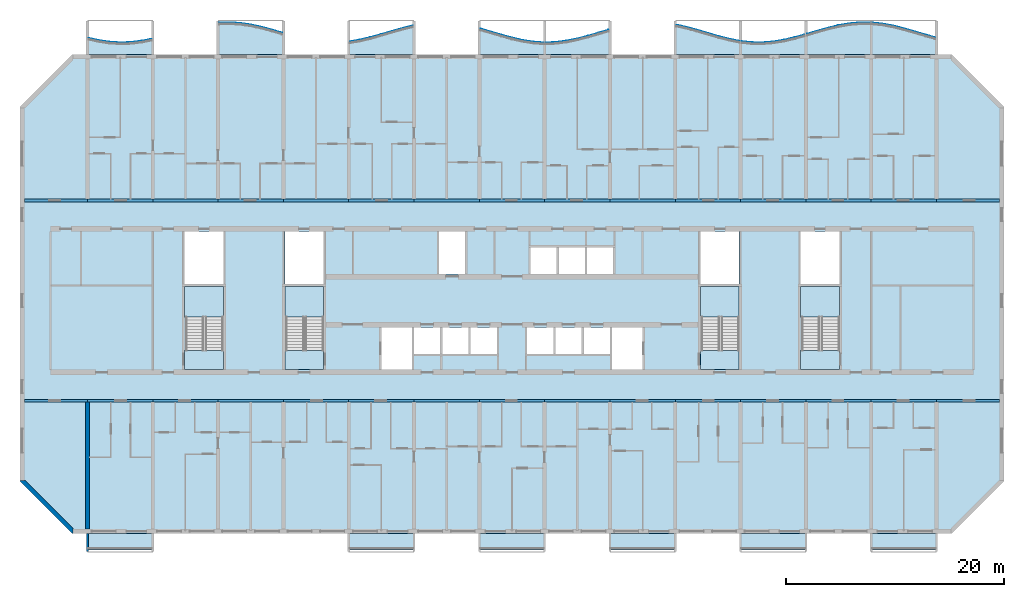
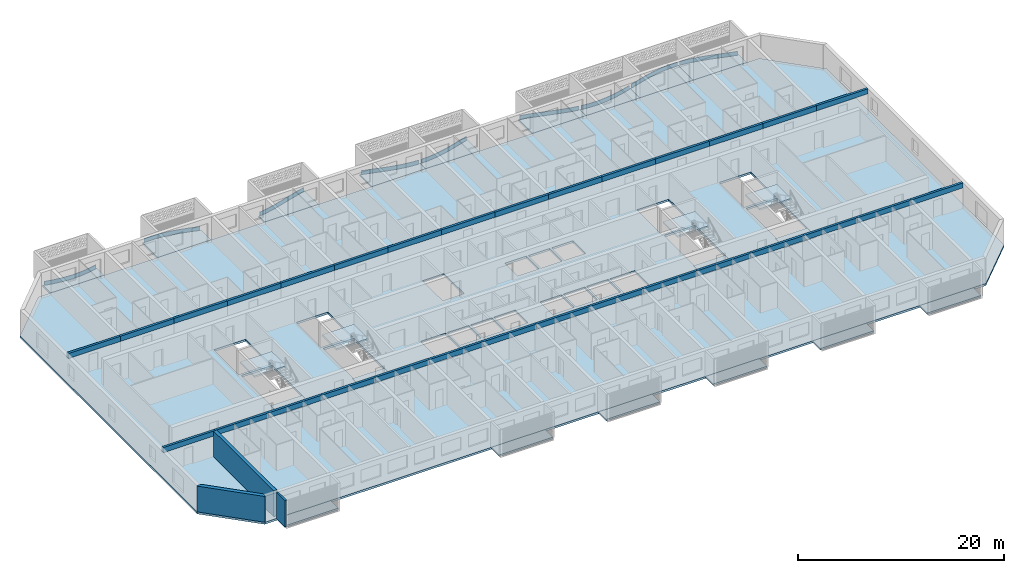
# One storey, part 1 of 26: 30 beams, 24 slabs, 9 plates, 3 walls, 4 elements without a shape of their own.
"""IFC4 building model written with IfcOpenShell, lengths in metres."""

from ifc_helpers import new_model, si_unit, direction, frame, frame_2d, origin, origin_2d, place, context, subcontext, project, spatial, polyline, rectangle, outline, extrude, source, transform, mapped, material, layer, layer_set, material_profile, profile_set, type_object, element, aggregate, save


model = new_model("IFC4")

# Units and contexts
model_context = context("Model", 3, precision=1e-05, world=origin(), true_north=direction((0.0, 1.0)))
body_context = subcontext(model_context, "Body", "Model", "MODEL_VIEW")
ifc_project = project(units=[si_unit("LENGTHUNIT", "METRE"), si_unit("AREAUNIT", "SQUARE_METRE"), si_unit("VOLUMEUNIT", "CUBIC_METRE"), si_unit("PLANEANGLEUNIT", "RADIAN"), si_unit("MASSUNIT", "GRAM", prefix="KILO")], contexts=[model_context])

# Site, building, storey
site_placement = place(None, origin())
site = spatial("IfcSite", under=ifc_project, at=site_placement, CompositionType="ELEMENT")
building_placement = place(site_placement, origin())
building = spatial("IfcBuilding", under=site, at=building_placement, Name="Poui Terraces", CompositionType="ELEMENT")
storey_placement = place(building_placement, frame((0.0, 0.0, 96.0)))
storey = spatial("IfcBuildingStorey", under=building, at=storey_placement, Name="L26", CompositionType="ELEMENT", Elevation=96.0)

# Beams
ifc_material_1 = material(Name="Concrete 65 MPa", Category="concrete")
ifc_material_profile = material_profile(ifc_material_1, rectangle(XDim=0.25, YDim=0.60009765625, at=origin_2d()), Name="RC 250x600")
ifc_profile_set = profile_set([ifc_material_profile], Name="Concrete 65 MPa")
beam_type = type_object("IfcBeamType", Name="COUPLING BEAM 250x600 65MPa", PredefinedType="BEAM", material=ifc_profile_set)
shared_shape_1 = source(origin(), body_context, "Body", "SweptSolid", [
    extrude(rectangle(XDim=0.25, YDim=0.60009765625, at=origin_2d()), origin(), (0.0, 0.0, 1.0), 5.800048828125),
])
for number, where, z_axis, x_axis, name in (
    (1, (6.199951171875, 12.0, 2.760009765625), (1.0, 0.0, 0.0), (0.0, 1.0, 0.0), "COUPLING BEAM LINE B BAY 1"),
    (2, (90.0, 12.0, 2.760009765625), (1.0, 0.0, 0.0), (0.0, 1.0, 0.0), "COUPLING BEAM LINE B BAY 15"),
    (3, (6.199951171875, 30.39990234375, 2.760009765625), (1.0, 0.0, 0.0), (0.0, 1.0, 0.0), "COUPLING BEAM LINE E BAY 1"),
    (4, (90.0, 30.39990234375, 2.760009765625), (1.0, 0.0, 0.0), (0.0, 1.0, 0.0), "COUPLING BEAM LINE E BAY 15"),
):
    element("IfcBeam", number, at=place(storey_placement, frame(where, z_axis=z_axis, x_axis=x_axis)), inside=storey, type_object=beam_type, Name=name, PredefinedType="BEAM", context=body_context, shape_type="MappedRepresentation", body=[
        mapped(shared_shape_1, transform((0.0, 0.0, 0.0))),
    ])
shared_shape_2 = source(origin(), body_context, "Body", "SweptSolid", [
    extrude(rectangle(XDim=0.25, YDim=0.60009765625, at=origin_2d()), origin(), (0.0, 0.0, 1.0), 6.0),
])
for number, where, z_axis, x_axis, name in (
    (5, (12.0, 12.0, 2.760009765625), (1.0, 0.0, 0.0), (0.0, 1.0, 0.0), "COUPLING BEAM LINE B BAY 2"),
    (6, (18.0, 12.0, 2.760009765625), (1.0, 0.0, 0.0), (0.0, 1.0, 0.0), "COUPLING BEAM LINE B BAY 3"),
    (7, (24.0, 12.0, 2.760009765625), (1.0, 0.0, 0.0), (0.0, 1.0, 0.0), "COUPLING BEAM LINE B BAY 4"),
    (8, (30.0, 12.0, 2.760009765625), (1.0, 0.0, 0.0), (0.0, 1.0, 0.0), "COUPLING BEAM LINE B BAY 5"),
    (9, (36.0, 12.0, 2.760009765625), (1.0, 0.0, 0.0), (0.0, 1.0, 0.0), "COUPLING BEAM LINE B BAY 6"),
    (10, (42.0, 12.0, 2.760009765625), (1.0, 0.0, 0.0), (0.0, 1.0, 0.0), "COUPLING BEAM LINE B BAY 7"),
    (11, (48.0, 12.0, 2.760009765625), (1.0, 0.0, 0.0), (0.0, 1.0, 0.0), "COUPLING BEAM LINE B BAY 8"),
    (12, (54.0, 12.0, 2.760009765625), (1.0, 0.0, 0.0), (0.0, 1.0, 0.0), "COUPLING BEAM LINE B BAY 9"),
    (13, (60.0, 12.0, 2.760009765625), (1.0, 0.0, 0.0), (0.0, 1.0, 0.0), "COUPLING BEAM LINE B BAY 10"),
    (14, (66.0, 12.0, 2.760009765625), (1.0, 0.0, 0.0), (0.0, 1.0, 0.0), "COUPLING BEAM LINE B BAY 11"),
    (15, (72.0, 12.0, 2.760009765625), (1.0, 0.0, 0.0), (0.0, 1.0, 0.0), "COUPLING BEAM LINE B BAY 12"),
    (16, (78.0, 12.0, 2.760009765625), (1.0, 0.0, 0.0), (0.0, 1.0, 0.0), "COUPLING BEAM LINE B BAY 13"),
    (17, (84.0, 12.0, 2.760009765625), (1.0, 0.0, 0.0), (0.0, 1.0, 0.0), "COUPLING BEAM LINE B BAY 14"),
    (18, (12.0, 30.39990234375, 2.760009765625), (1.0, 0.0, 0.0), (0.0, 1.0, 0.0), "COUPLING BEAM LINE E BAY 2"),
    (19, (18.0, 30.39990234375, 2.760009765625), (1.0, 0.0, 0.0), (0.0, 1.0, 0.0), "COUPLING BEAM LINE E BAY 3"),
    (20, (24.0, 30.39990234375, 2.760009765625), (1.0, 0.0, 0.0), (0.0, 1.0, 0.0), "COUPLING BEAM LINE E BAY 4"),
    (21, (30.0, 30.39990234375, 2.760009765625), (1.0, 0.0, 0.0), (0.0, 1.0, 0.0), "COUPLING BEAM LINE E BAY 5"),
    (22, (36.0, 30.39990234375, 2.760009765625), (1.0, 0.0, 0.0), (0.0, 1.0, 0.0), "COUPLING BEAM LINE E BAY 6"),
    (23, (42.0, 30.39990234375, 2.760009765625), (1.0, 0.0, 0.0), (0.0, 1.0, 0.0), "COUPLING BEAM LINE E BAY 7"),
    (24, (48.0, 30.39990234375, 2.760009765625), (1.0, 0.0, 0.0), (0.0, 1.0, 0.0), "COUPLING BEAM LINE E BAY 8"),
    (25, (54.0, 30.39990234375, 2.760009765625), (1.0, 0.0, 0.0), (0.0, 1.0, 0.0), "COUPLING BEAM LINE E BAY 9"),
    (26, (60.0, 30.39990234375, 2.760009765625), (1.0, 0.0, 0.0), (0.0, 1.0, 0.0), "COUPLING BEAM LINE E BAY 10"),
    (27, (66.0, 30.39990234375, 2.760009765625), (1.0, 0.0, 0.0), (0.0, 1.0, 0.0), "COUPLING BEAM LINE E BAY 11"),
    (28, (72.0, 30.39990234375, 2.760009765625), (1.0, 0.0, 0.0), (0.0, 1.0, 0.0), "COUPLING BEAM LINE E BAY 12"),
    (29, (78.0, 30.39990234375, 2.760009765625), (1.0, 0.0, 0.0), (0.0, 1.0, 0.0), "COUPLING BEAM LINE E BAY 13"),
    (30, (84.0, 30.39990234375, 2.760009765625), (1.0, 0.0, 0.0), (0.0, 1.0, 0.0), "COUPLING BEAM LINE E BAY 14"),
):
    element("IfcBeam", number, at=place(storey_placement, frame(where, z_axis=z_axis, x_axis=x_axis)), inside=storey, type_object=beam_type, Name=name, PredefinedType="BEAM", context=body_context, shape_type="MappedRepresentation", body=[
        mapped(shared_shape_2, transform((0.0, 0.0, 0.0))),
    ])

# Slabs
ifc_material_2 = material(Name="Precast concrete 40 MPa", Category="concrete")
ifc_layer_1 = layer(ifc_material_2, 0.199951171875)
ifc_layer_set_1 = layer_set([ifc_layer_1], Name="Precast concrete 40 MPa")
slab_type_1 = type_object("IfcSlabType", Name="BALCONY SLAB 200", PredefinedType="FLOOR", material=ifc_layer_set_1)
slab_1_placement = place(storey_placement, frame((0.0, 0.0, -0.2001953125)))
element("IfcSlab", 31, at=slab_1_placement, inside=storey, type_object=slab_type_1, Name="BALCONY SLAB", PredefinedType="FLOOR", context=body_context, shape_type="SweptSolid", body=[
    extrude(outline(polyline([(12.0, 43.800048828125), (18.0, 43.800048828125), (18.0, 45.259521484375), (17.0, 45.056884765625), (16.0, 44.93310546875), (15.0, 44.9013671875), (14.0, 44.964599609375), (13.0, 45.116455078125), (12.0, 45.34130859375), (12.0, 43.800048828125)])), origin(), (0.0, 0.0, 1.0), 0.2001953125),
])
slab_2_placement = place(storey_placement, frame((0.0, 0.0, -0.2001953125)))
element("IfcSlab", 32, at=slab_2_placement, inside=storey, type_object=slab_type_1, Name="BALCONY SLAB", PredefinedType="FLOOR", context=body_context, shape_type="SweptSolid", body=[
    extrude(outline(polyline([(24.0, 43.800048828125), (30.0, 43.800048828125), (30.0, 45.762939453125), (29.0, 46.058349609375), (28.0, 46.329833984375), (27.0, 46.54931640625), (26.0, 46.694091796875), (25.0, 46.749755859375), (24.0, 46.7099609375), (24.0, 43.800048828125)])), origin(), (0.0, 0.0, 1.0), 0.2001953125),
])
slab_3_placement = place(storey_placement, frame((0.0, 0.0, -0.2001953125)))
element("IfcSlab", 33, at=slab_3_placement, inside=storey, type_object=slab_type_1, Name="BALCONY SLAB", PredefinedType="FLOOR", context=body_context, shape_type="SweptSolid", body=[
    extrude(outline(polyline([(36.0, 43.800048828125), (42.0, 43.800048828125), (42.0, 46.4833984375), (41.0, 46.243896484375), (40.0, 45.961181640625), (39.0, 45.664306640625), (38.0, 45.38427734375), (37.0, 45.1494140625), (36.0, 44.984130859375), (36.0, 43.800048828125)])), origin(), (0.0, 0.0, 1.0), 0.2001953125),
])
slab_4_placement = place(storey_placement, frame((0.0, 0.0, -0.2001953125)))
element("IfcSlab", 34, at=slab_4_placement, inside=storey, type_object=slab_type_1, Name="BALCONY SLAB", PredefinedType="FLOOR", context=body_context, shape_type="SweptSolid", body=[
    extrude(outline(polyline([(48.0, 43.800048828125), (54.0, 43.800048828125), (54.0, 44.9013671875), (53.0, 44.964599609375), (52.0, 45.116455078125), (51.0, 45.34130859375), (50.0, 45.61572265625), (49.0, 45.911865234375), (48.0, 46.198974609375), (48.0, 43.800048828125)])), origin(), (0.0, 0.0, 1.0), 0.2001953125),
])
slab_5_placement = place(storey_placement, frame((0.0, 0.0, -0.2001953125)))
element("IfcSlab", 35, at=slab_5_placement, inside=storey, type_object=slab_type_1, Name="BALCONY SLAB", PredefinedType="FLOOR", context=body_context, shape_type="SweptSolid", body=[
    extrude(outline(polyline([(54.0, 43.800048828125), (60.0, 43.800048828125), (60.0, 46.106201171875), (59.0, 45.8125), (58.0, 45.520263671875), (57.0, 45.259521484375), (56.0, 45.056884765625), (55.0, 44.93310546875), (54.0, 44.9013671875), (54.0, 43.800048828125)])), origin(), (0.0, 0.0, 1.0), 0.2001953125),
])
slab_6_placement = place(storey_placement, frame((0.0, 0.0, -0.2001953125)))
element("IfcSlab", 36, at=slab_6_placement, inside=storey, type_object=slab_type_1, Name="BALCONY SLAB", PredefinedType="FLOOR", context=body_context, shape_type="SweptSolid", body=[
    extrude(outline(polyline([(66.0, 43.800048828125), (72.0, 43.800048828125), (72.0, 45.0302734375), (71.0, 45.220947265625), (70.0, 45.473876953125), (69.0, 45.762939453125), (68.0, 46.058349609375), (67.0, 46.329833984375), (66.0, 46.54931640625), (66.0, 43.800048828125)])), origin(), (0.0, 0.0, 1.0), 0.2001953125),
])
slab_7_placement = place(storey_placement, frame((0.0, 0.0, -0.2001953125)))
element("IfcSlab", 37, at=slab_7_placement, inside=storey, type_object=slab_type_1, Name="BALCONY SLAB", PredefinedType="FLOOR", context=body_context, shape_type="SweptSolid", body=[
    extrude(outline(polyline([(72.0, 43.800048828125), (78.0, 43.800048828125), (78.0, 45.664306640625), (77.0, 45.38427734375), (76.0, 45.1494140625), (75.0, 44.984130859375), (74.0, 44.9052734375), (73.0, 44.92138671875), (72.0, 45.0302734375), (72.0, 43.800048828125)])), origin(), (0.0, 0.0, 1.0), 0.2001953125),
])
slab_8_placement = place(storey_placement, frame((0.0, 0.0, -0.2001953125)))
element("IfcSlab", 38, at=slab_8_placement, inside=storey, type_object=slab_type_1, Name="BALCONY SLAB", PredefinedType="FLOOR", context=body_context, shape_type="SweptSolid", body=[
    extrude(outline(polyline([(78.0, 43.800048828125), (84.0, 43.800048828125), (84.0, 46.733642578125), (83.0, 46.74169921875), (82.0, 46.6552734375), (81.0, 46.4833984375), (80.0, 46.243896484375), (79.0, 45.961181640625), (78.0, 45.664306640625), (78.0, 43.800048828125)])), origin(), (0.0, 0.0, 1.0), 0.2001953125),
])
slab_9_placement = place(storey_placement, frame((0.0, 0.0, -0.2001953125)))
element("IfcSlab", 39, at=slab_9_placement, inside=storey, type_object=slab_type_1, Name="BALCONY SLAB", PredefinedType="FLOOR", context=body_context, shape_type="SweptSolid", body=[
    extrude(outline(polyline([(84.0, 43.800048828125), (90.0, 43.800048828125), (90.0, 45.34130859375), (89.0, 45.61572265625), (88.0, 45.911865234375), (87.0, 46.198974609375), (86.0, 46.447509765625), (85.0, 46.632080078125), (84.0, 46.733642578125), (84.0, 43.800048828125)])), origin(), (0.0, 0.0, 1.0), 0.2001953125),
])

# Stair, slabs
stair_type = type_object("IfcStairType", Name="EXIT STAIR 1650 65 MPA", PredefinedType="HALF_TURN_STAIR", material=ifc_material_1)
stair_1_placement = place(storey_placement, origin())
stair_1 = element("IfcStair", 40, at=stair_1_placement, inside=storey, type_object=stair_type, Name="L26 CORE STAIR EAST", PredefinedType="HALF_TURN_STAIR")
ifc_layer_2 = layer(ifc_material_1, 0.199951171875)
ifc_layer_set_2 = layer_set([ifc_layer_2], Name="Concrete 65 MPa")
slab_type_2 = type_object("IfcSlabType", Name="STAIR LANDING 200 65 MPA", PredefinedType="LANDING", material=ifc_layer_set_2)
slab_10_placement = place(storey_placement, frame((0.0, 0.0, 1.449951171875)))
slab_10 = element("IfcSlab", 41, at=slab_10_placement, type_object=slab_type_2, Name="ST-CE landing 1", PredefinedType="LANDING", context=body_context, shape_type="SweptSolid", body=[
    extrude(outline(polyline([(68.324951171875, 19.679931640625), (71.875, 19.679931640625), (71.875, 22.47509765625), (68.324951171875, 22.47509765625), (68.324951171875, 19.679931640625)])), origin(), (0.0, 0.0, 1.0), 0.199951171875),
])
slab_11_placement = place(storey_placement, frame((0.0, 0.0, -0.2001953125)))
slab_11 = element("IfcSlab", 42, at=slab_11_placement, type_object=slab_type_2, Name="ST-CE landing 2", PredefinedType="LANDING", context=body_context, shape_type="SweptSolid", body=[
    extrude(outline(polyline([(68.324951171875, 14.85009765625), (71.875, 14.85009765625), (71.875, 16.60009765625), (68.324951171875, 16.60009765625), (68.324951171875, 14.85009765625)])), origin(), (0.0, 0.0, 1.0), 0.2001953125),
])
aggregate(stair_1, [slab_10, slab_11])

stair_2_placement = place(storey_placement, origin())
stair_2 = element("IfcStair", 43, at=stair_2_placement, inside=storey, type_object=stair_type, Name="L26 CORE STAIR WEST", PredefinedType="HALF_TURN_STAIR")
slab_12_placement = place(storey_placement, frame((0.0, 0.0, 1.449951171875)))
slab_12 = element("IfcSlab", 44, at=slab_12_placement, type_object=slab_type_2, Name="ST-CW landing 1", PredefinedType="LANDING", context=body_context, shape_type="SweptSolid", body=[
    extrude(outline(polyline([(30.125, 19.679931640625), (33.675048828125, 19.679931640625), (33.675048828125, 22.47509765625), (30.125, 22.47509765625), (30.125, 19.679931640625)])), origin(), (0.0, 0.0, 1.0), 0.199951171875),
])
slab_13_placement = place(storey_placement, frame((0.0, 0.0, -0.2001953125)))
slab_13 = element("IfcSlab", 45, at=slab_13_placement, type_object=slab_type_2, Name="ST-CW landing 2", PredefinedType="LANDING", context=body_context, shape_type="SweptSolid", body=[
    extrude(outline(polyline([(30.125, 14.85009765625), (33.675048828125, 14.85009765625), (33.675048828125, 16.60009765625), (30.125, 16.60009765625), (30.125, 14.85009765625)])), origin(), (0.0, 0.0, 1.0), 0.2001953125),
])
aggregate(stair_2, [slab_12, slab_13])

stair_3_placement = place(storey_placement, origin())
stair_3 = element("IfcStair", 46, at=stair_3_placement, inside=storey, type_object=stair_type, Name="L26 TIP STAIR EAST", PredefinedType="HALF_TURN_STAIR")
slab_14_placement = place(storey_placement, frame((0.0, 0.0, 1.449951171875)))
slab_14 = element("IfcSlab", 47, at=slab_14_placement, type_object=slab_type_2, Name="ST-E landing 1", PredefinedType="LANDING", context=body_context, shape_type="SweptSolid", body=[
    extrude(outline(polyline([(77.52490234375, 19.679931640625), (81.074951171875, 19.679931640625), (81.074951171875, 22.47509765625), (77.52490234375, 22.47509765625), (77.52490234375, 19.679931640625)])), origin(), (0.0, 0.0, 1.0), 0.199951171875),
])
slab_15_placement = place(storey_placement, frame((0.0, 0.0, -0.2001953125)))
slab_15 = element("IfcSlab", 48, at=slab_15_placement, type_object=slab_type_2, Name="ST-E landing 2", PredefinedType="LANDING", context=body_context, shape_type="SweptSolid", body=[
    extrude(outline(polyline([(77.52490234375, 14.85009765625), (81.074951171875, 14.85009765625), (81.074951171875, 16.60009765625), (77.52490234375, 16.60009765625), (77.52490234375, 14.85009765625)])), origin(), (0.0, 0.0, 1.0), 0.2001953125),
])
aggregate(stair_3, [slab_14, slab_15])

stair_4_placement = place(storey_placement, origin())
stair_4 = element("IfcStair", 49, at=stair_4_placement, inside=storey, type_object=stair_type, Name="L26 TIP STAIR WEST", PredefinedType="HALF_TURN_STAIR")
slab_16_placement = place(storey_placement, frame((0.0, 0.0, 1.449951171875)))
slab_16 = element("IfcSlab", 50, at=slab_16_placement, type_object=slab_type_2, Name="ST-W landing 1", PredefinedType="LANDING", context=body_context, shape_type="SweptSolid", body=[
    extrude(outline(polyline([(20.925048828125, 19.679931640625), (24.47509765625, 19.679931640625), (24.47509765625, 22.47509765625), (20.925048828125, 22.47509765625), (20.925048828125, 19.679931640625)])), origin(), (0.0, 0.0, 1.0), 0.199951171875),
])
slab_17_placement = place(storey_placement, frame((0.0, 0.0, -0.2001953125)))
slab_17 = element("IfcSlab", 51, at=slab_17_placement, type_object=slab_type_2, Name="ST-W landing 2", PredefinedType="LANDING", context=body_context, shape_type="SweptSolid", body=[
    extrude(outline(polyline([(20.925048828125, 14.85009765625), (24.47509765625, 14.85009765625), (24.47509765625, 16.60009765625), (20.925048828125, 16.60009765625), (20.925048828125, 14.85009765625)])), origin(), (0.0, 0.0, 1.0), 0.2001953125),
])
aggregate(stair_4, [slab_16, slab_17])

# Plates
ifc_layer_3 = layer(ifc_material_2, 0.080078125)
ifc_layer_set_3 = layer_set([ifc_layer_3], Name="Precast concrete 40 MPa")
plate_type = type_object("IfcPlateType", Name="SUNSHADE UPSTAND 80", PredefinedType="SHEET", material=ifc_layer_set_3)
plate_1_placement = place(storey_placement, origin())
element("IfcPlate", 52, at=plate_1_placement, inside=storey, type_object=plate_type, Name="SUNSHADE UPSTAND", PredefinedType="SHEET", context=body_context, shape_type="SweptSolid", body=[
    extrude(outline(polyline([(13.00732421875, 45.11083984375), (12.133544921875, 45.303955078125), (12.116455078125, 45.225830078125), (12.99267578125, 45.031982421875), (13.99560546875, 44.8798828125), (14.99951171875, 44.81640625), (16.003173828125, 44.84814453125), (17.00634765625, 44.97216796875), (17.8828125, 45.146240234375), (17.8671875, 45.224609375), (16.99365234375, 45.05126953125), (15.996826171875, 44.927978515625), (15.00048828125, 44.896484375), (14.00439453125, 44.95947265625), (13.00732421875, 45.11083984375)])), origin(), (0.0, 0.0, 1.0), 0.449951171875),
])
plate_2_placement = place(storey_placement, origin())
element("IfcPlate", 53, at=plate_2_placement, inside=storey, type_object=plate_type, Name="SUNSHADE UPSTAND", PredefinedType="SHEET", context=body_context, shape_type="SweptSolid", body=[
    extrude(outline(polyline([(25.00048828125, 46.74462890625), (24.15576171875, 46.716064453125), (24.123779296875, 46.71484375), (24.12646484375, 46.635009765625), (24.99951171875, 46.66455078125), (25.99609375, 46.609375), (26.992919921875, 46.46484375), (27.990478515625, 46.24609375), (28.989013671875, 45.974853515625), (29.86376953125, 45.716796875), (29.88623046875, 45.79345703125), (29.010986328125, 46.052001953125), (28.009521484375, 46.32373046875), (27.007080078125, 46.543701171875), (26.00390625, 46.689208984375), (25.00048828125, 46.74462890625)])), origin(), (0.0, 0.0, 1.0), 0.449951171875),
])
plate_3_placement = place(storey_placement, origin())
element("IfcPlate", 54, at=plate_3_placement, inside=storey, type_object=plate_type, Name="SUNSHADE UPSTAND", PredefinedType="SHEET", context=body_context, shape_type="SweptSolid", body=[
    extrude(outline(polyline([(36.9921875, 45.1435546875), (36.118408203125, 44.99462890625), (36.131591796875, 44.915771484375), (37.0078125, 45.065185546875), (38.010009765625, 45.30029296875), (39.010986328125, 45.580810546875), (40.010986328125, 45.877685546875), (41.01025390625, 46.16015625), (41.884521484375, 46.372802734375), (41.865478515625, 46.45068359375), (40.98974609375, 46.237548828125), (39.989013671875, 45.95458984375), (38.989013671875, 45.65771484375), (37.989990234375, 45.3779296875), (36.9921875, 45.1435546875)])), origin(), (0.0, 0.0, 1.0), 0.449951171875),
])
plate_4_placement = place(storey_placement, origin())
element("IfcPlate", 55, at=plate_4_placement, inside=storey, type_object=plate_type, Name="SUNSHADE UPSTAND", PredefinedType="SHEET", context=body_context, shape_type="SweptSolid", body=[
    extrude(outline(polyline([(49.01123046875, 45.9052734375), (48.135986328125, 46.157958984375), (48.114013671875, 46.081298828125), (48.98876953125, 45.828369140625), (49.989013671875, 45.5322265625), (50.990234375, 45.25732421875), (51.99267578125, 45.031982421875), (52.99560546875, 44.8798828125), (53.872314453125, 44.819091796875), (53.877685546875, 44.89892578125), (53.00439453125, 44.95947265625), (52.00732421875, 45.110595703125), (51.009765625, 45.3349609375), (50.010986328125, 45.609130859375), (49.01123046875, 45.9052734375)])), origin(), (0.0, 0.0, 1.0), 0.449951171875),
])
plate_5_placement = place(storey_placement, origin())
element("IfcPlate", 56, at=plate_5_placement, inside=storey, type_object=plate_type, Name="SUNSHADE UPSTAND", PredefinedType="SHEET", context=body_context, shape_type="SweptSolid", body=[
    extrude(outline(polyline([(54.996826171875, 44.927978515625), (54.12353515625, 44.89501953125), (54.12646484375, 44.815185546875), (55.003173828125, 44.84814453125), (56.00634765625, 44.97216796875), (57.009033203125, 45.175537109375), (58.0107421875, 45.436767578125), (59.01123046875, 45.729248046875), (59.88623046875, 45.987060546875), (59.86376953125, 46.063720703125), (58.98876953125, 45.805908203125), (57.9892578125, 45.513916015625), (56.990966796875, 45.25341796875), (55.99365234375, 45.05126953125), (54.996826171875, 44.927978515625)])), origin(), (0.0, 0.0, 1.0), 0.449951171875),
])
plate_6_placement = place(storey_placement, origin())
element("IfcPlate", 57, at=plate_6_placement, inside=storey, type_object=plate_type, Name="SUNSHADE UPSTAND", PredefinedType="SHEET", context=body_context, shape_type="SweptSolid", body=[
    extrude(outline(polyline([(67.009521484375, 46.32373046875), (66.1337890625, 46.51953125), (66.1162109375, 46.44140625), (66.990478515625, 46.24609375), (67.989013671875, 45.974853515625), (68.98876953125, 45.6796875), (69.989501953125, 45.390380859375), (70.9912109375, 45.136962890625), (71.8671875, 44.965576171875), (71.8828125, 45.044189453125), (71.0087890625, 45.215087890625), (70.010498046875, 45.467529296875), (69.01123046875, 45.75634765625), (68.010986328125, 46.052001953125), (67.009521484375, 46.32373046875)])), origin(), (0.0, 0.0, 1.0), 0.449951171875),
])
plate_7_placement = place(storey_placement, origin())
element("IfcPlate", 58, at=plate_7_placement, inside=storey, type_object=plate_type, Name="SUNSHADE UPSTAND", PredefinedType="SHEET", context=body_context, shape_type="SweptSolid", body=[
    extrude(outline(polyline([(73.00244140625, 44.916259765625), (72.129150390625, 45.006591796875), (72.120849609375, 44.927001953125), (72.99755859375, 44.836181640625), (74.001220703125, 44.8203125), (75.0048828125, 44.8994140625), (76.0078125, 45.065185546875), (77.010009765625, 45.30029296875), (77.8857421875, 45.544189453125), (77.8642578125, 45.621337890625), (76.989990234375, 45.3779296875), (75.9921875, 45.1435546875), (74.9951171875, 44.978759765625), (73.998779296875, 44.900390625), (73.00244140625, 44.916259765625)])), origin(), (0.0, 0.0, 1.0), 0.449951171875),
])
plate_8_placement = place(storey_placement, origin())
element("IfcPlate", 59, at=plate_8_placement, inside=storey, type_object=plate_type, Name="SUNSHADE UPSTAND", PredefinedType="SHEET", context=body_context, shape_type="SweptSolid", body=[
    extrude(outline(polyline([(78.989013671875, 45.95458984375), (78.113525390625, 45.694580078125), (78.136474609375, 45.617919921875), (79.010986328125, 45.877685546875), (80.010009765625, 46.16015625), (81.008056640625, 46.399169921875), (82.005126953125, 46.570556640625), (83.001708984375, 46.65673828125), (83.875, 46.65478515625), (83.875, 46.734619140625), (83.8369140625, 46.735107421875), (82.998291015625, 46.73681640625), (81.994873046875, 46.64990234375), (80.991943359375, 46.477783203125), (79.989990234375, 46.237548828125), (78.989013671875, 45.95458984375)])), origin(), (0.0, 0.0, 1.0), 0.449951171875),
])
plate_9_placement = place(storey_placement, origin())
element("IfcPlate", 60, at=plate_9_placement, inside=storey, type_object=plate_type, Name="SUNSHADE UPSTAND", PredefinedType="SHEET", context=body_context, shape_type="SweptSolid", body=[
    extrude(outline(polyline([(85.005859375, 46.626708984375), (84.16357421875, 46.717041015625), (84.129150390625, 46.720703125), (84.12060546875, 46.64111328125), (84.994140625, 46.547607421875), (85.991455078125, 46.363525390625), (86.98974609375, 46.115234375), (87.98876953125, 45.828369140625), (88.989013671875, 45.5322265625), (89.8642578125, 45.289794921875), (89.8857421875, 45.36669921875), (89.010986328125, 45.609130859375), (88.01123046875, 45.9052734375), (87.01025390625, 46.192626953125), (86.008544921875, 46.441650390625), (85.005859375, 46.626708984375)])), origin(), (0.0, 0.0, 1.0), 0.449951171875),
])

# Slabs
ifc_material_3 = material(Name="Concrete 40 MPa", Category="concrete")
ifc_layer_4 = layer(ifc_material_3, 0.239990234375)
ifc_layer_set_4 = layer_set([ifc_layer_4], Name="Concrete 40 MPa")
slab_type_3 = type_object("IfcSlabType", Name="FLOOR SLAB 240", PredefinedType="FLOOR", material=ifc_layer_set_4)
shared_shape_3 = source(origin(), body_context, "Body", "SweptSolid", [
    extrude(outline(polyline([(0.0, 0.0), (4.800048828125, -4.800048828125), (85.599853515625, -4.800048828125), (90.39990234375, 0.0), (90.39990234375, 34.39990234375), (85.599853515625, 39.199951171875), (4.800048828125, 39.199951171875), (0.0, 34.39990234375), (0.0, 0.0)]), holes=[polyline([(33.199951171875, 10.25), (33.199951171875, 14.14990234375), (36.0, 14.14990234375), (36.0, 10.25), (33.199951171875, 10.25)]), polyline([(36.199951171875, 11.699951171875), (36.199951171875, 14.14990234375), (38.599853515625, 14.14990234375), (38.599853515625, 11.699951171875), (36.199951171875, 11.699951171875)]), polyline([(38.800048828125, 11.699951171875), (38.800048828125, 14.14990234375), (41.199951171875, 14.14990234375), (41.199951171875, 11.699951171875), (38.800048828125, 11.699951171875)]), polyline([(41.39990234375, 14.14990234375), (43.800048828125, 14.14990234375), (43.800048828125, 11.699951171875), (41.39990234375, 11.699951171875), (41.39990234375, 14.14990234375)]), polyline([(46.599853515625, 14.14990234375), (49.0, 14.14990234375), (49.0, 11.699951171875), (46.599853515625, 11.699951171875), (46.599853515625, 14.14990234375)]), polyline([(15.224853515625, 17.849853515625), (18.675048828125, 17.849853515625), (18.675048828125, 12.0), (18.675048828125, 10.25), (15.125, 10.25), (15.125, 12.0), (15.224853515625, 12.0), (15.224853515625, 17.849853515625)]), polyline([(24.425048828125, 17.849853515625), (27.875, 17.849853515625), (27.875, 12.0), (27.875, 10.25), (24.324951171875, 10.25), (24.324951171875, 12.0), (24.425048828125, 12.0), (24.425048828125, 17.849853515625)]), polyline([(15.125, 18.125), (15.125, 22.949951171875), (18.675048828125, 22.949951171875), (18.675048828125, 18.125), (15.125, 18.125)]), polyline([(24.324951171875, 22.949951171875), (27.875, 22.949951171875), (27.875, 18.125), (24.324951171875, 18.125), (24.324951171875, 22.949951171875)]), polyline([(38.5, 22.949951171875), (40.89990234375, 22.949951171875), (40.89990234375, 19.0498046875), (38.5, 19.0498046875), (38.5, 22.949951171875)]), polyline([(54.39990234375, 10.25), (54.39990234375, 14.14990234375), (57.199951171875, 14.14990234375), (57.199951171875, 10.25), (54.39990234375, 10.25)]), polyline([(49.199951171875, 11.699951171875), (49.199951171875, 14.14990234375), (51.599853515625, 14.14990234375), (51.599853515625, 11.699951171875), (49.199951171875, 11.699951171875)]), polyline([(51.800048828125, 11.699951171875), (51.800048828125, 14.14990234375), (54.199951171875, 14.14990234375), (54.199951171875, 11.699951171875), (51.800048828125, 11.699951171875)]), polyline([(66.074951171875, 17.849853515625), (66.074951171875, 12.0), (66.074951171875, 10.25), (62.52490234375, 10.25), (62.52490234375, 12.0), (62.625, 12.0), (62.625, 17.849853515625), (66.074951171875, 17.849853515625)]), polyline([(75.27490234375, 17.849853515625), (75.27490234375, 12.0), (75.27490234375, 10.25), (71.724853515625, 10.25), (71.724853515625, 12.0), (71.824951171875, 12.0), (71.824951171875, 17.849853515625), (75.27490234375, 17.849853515625)]), polyline([(46.89990234375, 19.0498046875), (46.89990234375, 21.5), (49.300048828125, 21.5), (49.300048828125, 19.0498046875), (46.89990234375, 19.0498046875)]), polyline([(49.5, 19.0498046875), (49.5, 21.5), (51.89990234375, 21.5), (51.89990234375, 19.0498046875), (49.5, 19.0498046875)]), polyline([(52.099853515625, 19.0498046875), (52.099853515625, 21.5), (54.5, 21.5), (54.5, 19.0498046875), (52.099853515625, 19.0498046875)]), polyline([(62.52490234375, 22.949951171875), (66.074951171875, 22.949951171875), (66.074951171875, 18.125), (62.52490234375, 18.125), (62.52490234375, 22.949951171875)]), polyline([(71.724853515625, 22.949951171875), (75.27490234375, 22.949951171875), (75.27490234375, 18.125), (71.724853515625, 18.125), (71.724853515625, 22.949951171875)])]), origin(), (0.0, 0.0, 1.0), 0.240234375),
])
slab_18_placement = place(storey_placement, frame((5.800048828125, 4.60009765625, -0.240234375)))
element("IfcSlab", 61, at=slab_18_placement, inside=storey, type_object=slab_type_3, Name="FLOOR SLAB", PredefinedType="FLOOR", context=body_context, shape_type="MappedRepresentation", body=[
    mapped(shared_shape_3, transform((0.0, 0.0, 0.0))),
])
ifc_layer_5 = layer(ifc_material_2, 0.199951171875)
ifc_layer_set_5 = layer_set([ifc_layer_5], Name="Precast concrete 40 MPa")
slab_type_4 = type_object("IfcSlabType", Name="REAR BALCONY SLAB 200", PredefinedType="FLOOR", material=ifc_layer_set_5)
shared_shape_4 = source(origin(), body_context, "Body", "SweptSolid", [
    extrude(outline(polyline([(0.0, 0.0), (6.0, 0.0), (6.0, 1.5), (0.0, 1.5), (0.0, 0.0)])), origin(), (0.0, 0.0, 1.0), 0.2001953125),
])
for number, where, name in (
    (62, (12.0, -1.699951171875, -0.2001953125), "REAR BALCONY SLAB"),
    (63, (36.0, -1.699951171875, -0.2001953125), "REAR BALCONY SLAB"),
    (64, (48.0, -1.699951171875, -0.2001953125), "REAR BALCONY SLAB"),
    (65, (60.0, -1.699951171875, -0.2001953125), "REAR BALCONY SLAB"),
    (66, (72.0, -1.699951171875, -0.2001953125), "REAR BALCONY SLAB"),
    (67, (84.0, -1.699951171875, -0.2001953125), "REAR BALCONY SLAB"),
):
    element("IfcSlab", number, at=place(storey_placement, frame(where)), inside=storey, type_object=slab_type_4, Name=name, PredefinedType="FLOOR", context=body_context, shape_type="MappedRepresentation", body=[
        mapped(shared_shape_4, transform((0.0, 0.0, 0.0))),
    ])

# Walls
ifc_layer_6 = layer(ifc_material_1, 0.35009765625)
ifc_layer_set_6 = layer_set([ifc_layer_6], Name="Concrete 65 MPa")
wall_type_1 = type_object("IfcWallType", Name="CROSS WALL 350 65MPa", PredefinedType="SHEAR", material=ifc_layer_set_6)
wall_1_placement = place(storey_placement, frame((12.0, 0.199951171875, 0.0), z_axis=(0.0, 0.0, 1.0), x_axis=(0.0, 1.0, 0.0)))
element("IfcWall", 68, at=wall_1_placement, inside=storey, type_object=wall_type_1, Name="CROSS WALL LINE 3 SOUTH", PredefinedType="SHEAR", context=body_context, shape_type="SweptSolid", body=[
    extrude(rectangle(XDim=11.675048828125, YDim=0.35009765625, at=frame_2d((5.83740234375, 0.0))), origin(), (0.0, 0.0, 1.0), 3.06005859375),
])
ifc_layer_7 = layer(ifc_material_2, 0.39990234375)
ifc_layer_set_7 = layer_set([ifc_layer_7], Name="Precast concrete 40 MPa")
wall_type_2 = type_object("IfcWallType", Name="TERRACOTTA CLAD CHAMFER WALL 400", PredefinedType="STANDARD", material=ifc_layer_set_7)
wall_2_placement = place(storey_placement, origin())
element("IfcWall", 69, at=wall_2_placement, inside=storey, type_object=wall_type_2, Name="CHAMFER WALL CH07", PredefinedType="STANDARD", context=body_context, shape_type="SweptSolid", body=[
    extrude(outline(polyline([(5.800048828125, 4.682861328125), (5.800048828125, 4.60009765625), (10.60009765625, -0.199951171875), (10.682861328125, -0.199951171875), (10.682861328125, 0.28271484375), (6.28271484375, 4.682861328125), (5.800048828125, 4.682861328125)])), origin(), (0.0, 0.0, 1.0), 3.06005859375),
])
ifc_layer_8 = layer(ifc_material_2, 0.199951171875)
ifc_layer_set_8 = layer_set([ifc_layer_8], Name="Precast concrete 40 MPa")
wall_type_3 = type_object("IfcWallType", Name="REAR FIN 200", PredefinedType="STANDARD", material=ifc_layer_set_8)
shared_shape_5 = source(origin(), body_context, "Body", "SweptSolid", [
    extrude(outline(polyline([(0.0, 0.0), (0.2001953125, 0.0), (0.2001953125, 1.650146484375), (0.0, 1.650146484375), (0.0, 0.0)])), origin(), (0.0, 0.0, 1.0), 3.10009765625),
])
wall_3_placement = place(storey_placement, frame((11.89990234375, -1.85009765625, 0.0)))
element("IfcWall", 70, at=wall_3_placement, inside=storey, type_object=wall_type_3, Name="REAR FIN", PredefinedType="STANDARD", context=body_context, shape_type="MappedRepresentation", body=[
    mapped(shared_shape_5, transform((0.0, 0.0, 0.0))),
])

save(model, "model.ifc")
